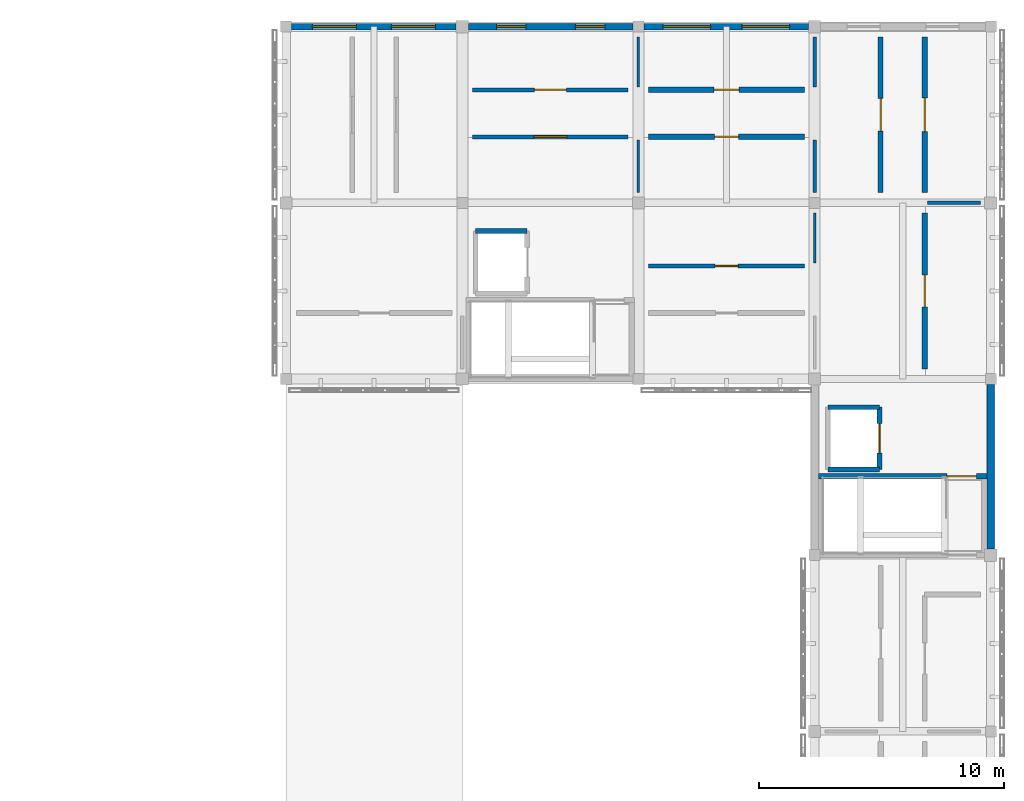
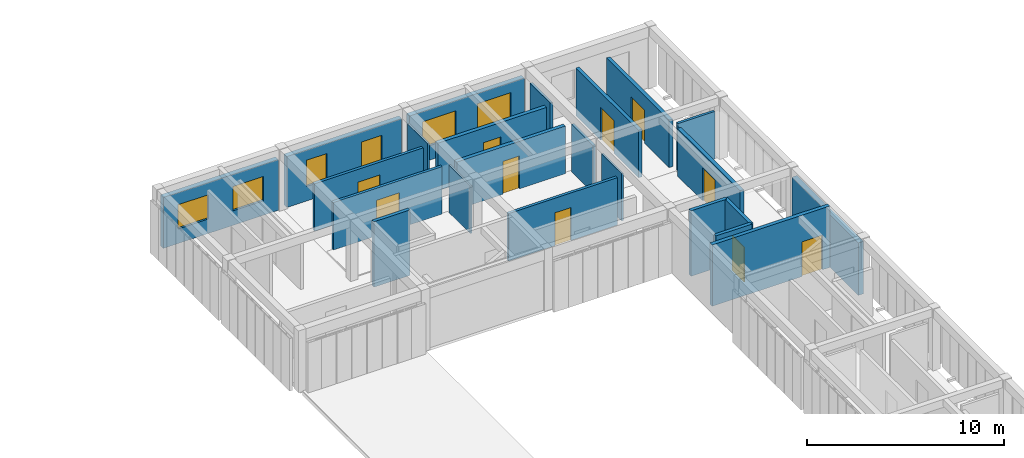
# One storey, part 27 of 33: 23 walls, 10 doors, 6 windows, 16 openings.
"""IFC4 building model written with IfcOpenShell, lengths in metres."""

from ifc_helpers import new_model, si_unit, direction, frame, frame_2d, origin, place, context, subcontext, project, spatial, rectangle, extrude, material, layer, layer_set, type_object, element, fill, save


model = new_model("IFC4")

# Units and contexts
model_context = context("Model", 3, precision=1e-05, world=origin(), true_north=direction((0.0, 1.0)))
body_context = subcontext(model_context, "Body", "Model", "MODEL_VIEW")
ifc_project = project(units=[si_unit("LENGTHUNIT", "METRE"), si_unit("AREAUNIT", "SQUARE_METRE"), si_unit("VOLUMEUNIT", "CUBIC_METRE"), si_unit("PLANEANGLEUNIT", "RADIAN"), si_unit("MASSUNIT", "GRAM", prefix="KILO")], contexts=[model_context])

# Site, building, storey
site_placement = place(None, origin())
site = spatial("IfcSite", under=ifc_project, at=site_placement, CompositionType="ELEMENT")
building_placement = place(site_placement, origin())
building = spatial("IfcBuilding", under=site, at=building_placement, Name="Aldebral Square Health Centre", CompositionType="ELEMENT")
storey_placement = place(building_placement, frame((0.0, 0.0, 17.550048828125)))
storey = spatial("IfcBuildingStorey", under=building, at=storey_placement, Name="L04", CompositionType="ELEMENT", Elevation=17.550048828125)

# Wall, openings, windows
ifc_material_1 = material(Name="Ochre mineral-rendered concrete C35/45 court wall", Category="concrete")
ifc_layer_1 = layer(ifc_material_1, 0.280029296875, Name="Ochre mineral-rendered concrete C35/45 court wall", Category="concrete")
ifc_layer_set_1 = layer_set([ifc_layer_1], Name="Ochre mineral-rendered concrete C35/45 court wall")
wall_type_1 = type_object("IfcWallType", Name="EW-OCH-280", PredefinedType="STANDARD", material=ifc_layer_set_1)
wall_1_placement = place(storey_placement, frame((143.75, 115.199951171875, 0.0), z_axis=(0.0, 0.0, 1.0), x_axis=(-1.0, 0.0, 0.0)))
wall_1 = element("IfcWall", 1, at=wall_1_placement, inside=storey, type_object=wall_type_1, Name="L04 V5 exterior wall L04-V5-19-15-N", PredefinedType="STANDARD", context=body_context, shape_type="SweptSolid", body=[
    extrude(rectangle(XDim=6.72509765625, YDim=0.280029296875, at=frame_2d((3.362548828125, 0.0))), origin(), (0.0, 0.0, 1.0), 3.14990234375),
])
opening_1_placement = place(wall_1_placement, frame((0.85009765625, 0.0, 0.89990234375)))
opening_1 = element("IfcOpeningElement", 2, at=opening_1_placement, cuts=wall_1, Name="Opening W25", PredefinedType="OPENING", context=body_context, shape_type="SweptSolid", body=[
    extrude(rectangle(XDim=1.800048828125, YDim=1.5, at=frame_2d((0.89990234375, 0.75))), frame((0.0, 0.14990234375, 0.0), z_axis=(0.0, -1.0, 0.0), x_axis=(1.0, 0.0, 0.0)), (0.0, 0.0, 1.0), 0.300048828125),
])
opening_2_placement = place(wall_1_placement, frame((4.074951171875, 0.0, 0.89990234375)))
opening_2 = element("IfcOpeningElement", 3, at=opening_2_placement, cuts=wall_1, Name="Opening W25", PredefinedType="OPENING", context=body_context, shape_type="SweptSolid", body=[
    extrude(rectangle(XDim=1.800048828125, YDim=1.5, at=frame_2d((0.89990234375, 0.75))), frame((0.0, 0.14990234375, 0.0), z_axis=(0.0, -1.0, 0.0), x_axis=(1.0, 0.0, 0.0)), (0.0, 0.0, 1.0), 0.300048828125),
])
ifc_material_2 = material(Name="Thermally broken aluminium and low-E glass", Category="aluminium")
window_type_1 = type_object("IfcWindowType", Name="WIN-W25", PartitioningType="SINGLE_PANEL", PredefinedType="WINDOW", material=ifc_material_2)
window_1_placement = place(opening_1_placement, origin())
window_1 = element("IfcWindow", 4, at=window_1_placement, inside=storey, type_object=window_type_1, Name="L04 clinical window L04-V5-19-15-N.1", OverallHeight=1.5, OverallWidth=1.800048828125, PartitioningType="SINGLE_PANEL", PredefinedType="WINDOW", context=body_context, shape_type="SweptSolid", body=[
    extrude(rectangle(XDim=1.800048828125, YDim=1.5, at=frame_2d((0.89990234375, 0.75))), frame((0.0, 0.030029296875, 0.0), z_axis=(0.0, -1.0, 0.0), x_axis=(1.0, 0.0, 0.0)), (0.0, 0.0, 1.0), 0.06005859375),
])
fill(opening_1, window_1)
window_2_placement = place(opening_2_placement, origin())
window_2 = element("IfcWindow", 5, at=window_2_placement, inside=storey, type_object=window_type_1, Name="L04 clinical window L04-V5-19-15-N.2", OverallHeight=1.5, OverallWidth=1.800048828125, PartitioningType="SINGLE_PANEL", PredefinedType="WINDOW", context=body_context, shape_type="SweptSolid", body=[
    extrude(rectangle(XDim=1.800048828125, YDim=1.5, at=frame_2d((0.89990234375, 0.75))), frame((0.0, 0.030029296875, 0.0), z_axis=(0.0, -1.0, 0.0), x_axis=(1.0, 0.0, 0.0)), (0.0, 0.0, 1.0), 0.06005859375),
])
fill(opening_2, window_2)

wall_2_placement = place(storey_placement, frame((150.97509765625, 115.199951171875, 0.0), z_axis=(0.0, 0.0, 1.0), x_axis=(-1.0, 0.0, 0.0)))
wall_2 = element("IfcWall", 6, at=wall_2_placement, inside=storey, type_object=wall_type_1, Name="L04 V5 exterior wall L04-V5-20-15-N", PredefinedType="STANDARD", context=body_context, shape_type="SweptSolid", body=[
    extrude(rectangle(XDim=6.72509765625, YDim=0.280029296875, at=frame_2d((3.362548828125, 0.0))), origin(), (0.0, 0.0, 1.0), 3.14990234375),
])
opening_3_placement = place(wall_2_placement, frame((1.14990234375, 0.0, 0.89990234375)))
opening_3 = element("IfcOpeningElement", 7, at=opening_3_placement, cuts=wall_2, Name="Opening W30", PredefinedType="OPENING", context=body_context, shape_type="SweptSolid", body=[
    extrude(rectangle(XDim=1.199951171875, YDim=1.6201171875, at=frame_2d((0.60009765625, 0.81005859375))), frame((0.0, 0.14990234375, 0.0), z_axis=(0.0, -1.0, 0.0), x_axis=(1.0, 0.0, 0.0)), (0.0, 0.0, 1.0), 0.300048828125),
])
opening_4_placement = place(wall_2_placement, frame((4.375, 0.0, 0.89990234375)))
opening_4 = element("IfcOpeningElement", 8, at=opening_4_placement, cuts=wall_2, Name="Opening W30", PredefinedType="OPENING", context=body_context, shape_type="SweptSolid", body=[
    extrude(rectangle(XDim=1.199951171875, YDim=1.6201171875, at=frame_2d((0.60009765625, 0.81005859375))), frame((0.0, 0.14990234375, 0.0), z_axis=(0.0, -1.0, 0.0), x_axis=(1.0, 0.0, 0.0)), (0.0, 0.0, 1.0), 0.300048828125),
])
window_type_2 = type_object("IfcWindowType", Name="WIN-W30", PartitioningType="SINGLE_PANEL", PredefinedType="WINDOW", material=ifc_material_2)
window_3_placement = place(opening_3_placement, origin())
window_3 = element("IfcWindow", 9, at=window_3_placement, inside=storey, type_object=window_type_2, Name="L04 clinical window L04-V5-20-15-N.1", OverallHeight=1.6201171875, OverallWidth=1.199951171875, PartitioningType="SINGLE_PANEL", PredefinedType="WINDOW", context=body_context, shape_type="SweptSolid", body=[
    extrude(rectangle(XDim=1.199951171875, YDim=1.6201171875, at=frame_2d((0.60009765625, 0.81005859375))), frame((0.0, 0.030029296875, 0.0), z_axis=(0.0, -1.0, 0.0), x_axis=(1.0, 0.0, 0.0)), (0.0, 0.0, 1.0), 0.06005859375),
])
fill(opening_3, window_3)
window_4_placement = place(opening_4_placement, origin())
window_4 = element("IfcWindow", 10, at=window_4_placement, inside=storey, type_object=window_type_2, Name="L04 clinical window L04-V5-20-15-N.2", OverallHeight=1.6201171875, OverallWidth=1.199951171875, PartitioningType="SINGLE_PANEL", PredefinedType="WINDOW", context=body_context, shape_type="SweptSolid", body=[
    extrude(rectangle(XDim=1.199951171875, YDim=1.6201171875, at=frame_2d((0.60009765625, 0.81005859375))), frame((0.0, 0.030029296875, 0.0), z_axis=(0.0, -1.0, 0.0), x_axis=(1.0, 0.0, 0.0)), (0.0, 0.0, 1.0), 0.06005859375),
])
fill(opening_4, window_4)

wall_3_placement = place(storey_placement, frame((158.14990234375, 115.199951171875, 0.0), z_axis=(0.0, 0.0, 1.0), x_axis=(-1.0, 0.0, 0.0)))
wall_3 = element("IfcWall", 11, at=wall_3_placement, inside=storey, type_object=wall_type_1, Name="L04 V5 exterior wall L04-V5-21-15-N", PredefinedType="STANDARD", context=body_context, shape_type="SweptSolid", body=[
    extrude(rectangle(XDim=6.724853515625, YDim=0.280029296875, at=frame_2d((3.3623046875, 0.0))), origin(), (0.0, 0.0, 1.0), 3.14990234375),
])
opening_5_placement = place(wall_3_placement, frame((0.77490234375, 0.0, 0.89990234375)))
opening_5 = element("IfcOpeningElement", 12, at=opening_5_placement, cuts=wall_3, Name="Opening W35", PredefinedType="OPENING", context=body_context, shape_type="SweptSolid", body=[
    extrude(rectangle(XDim=1.949951171875, YDim=1.6201171875, at=frame_2d((0.97509765625, 0.81005859375))), frame((0.0, 0.14990234375, 0.0), z_axis=(0.0, -1.0, 0.0), x_axis=(1.0, 0.0, 0.0)), (0.0, 0.0, 1.0), 0.300048828125),
])
opening_6_placement = place(wall_3_placement, frame((4.0, 0.0, 0.89990234375)))
opening_6 = element("IfcOpeningElement", 13, at=opening_6_placement, cuts=wall_3, Name="Opening W35", PredefinedType="OPENING", context=body_context, shape_type="SweptSolid", body=[
    extrude(rectangle(XDim=1.949951171875, YDim=1.6201171875, at=frame_2d((0.97509765625, 0.81005859375))), frame((0.0, 0.14990234375, 0.0), z_axis=(0.0, -1.0, 0.0), x_axis=(1.0, 0.0, 0.0)), (0.0, 0.0, 1.0), 0.300048828125),
])
window_type_3 = type_object("IfcWindowType", Name="WIN-W35", PartitioningType="SINGLE_PANEL", PredefinedType="WINDOW", material=ifc_material_2)
window_5_placement = place(opening_5_placement, origin())
window_5 = element("IfcWindow", 14, at=window_5_placement, inside=storey, type_object=window_type_3, Name="L04 clinical window L04-V5-21-15-N.1", OverallHeight=1.6201171875, OverallWidth=1.949951171875, PartitioningType="SINGLE_PANEL", PredefinedType="WINDOW", context=body_context, shape_type="SweptSolid", body=[
    extrude(rectangle(XDim=1.949951171875, YDim=1.6201171875, at=frame_2d((0.97509765625, 0.81005859375))), frame((0.0, 0.030029296875, 0.0), z_axis=(0.0, -1.0, 0.0), x_axis=(1.0, 0.0, 0.0)), (0.0, 0.0, 1.0), 0.06005859375),
])
fill(opening_5, window_5)
window_6_placement = place(opening_6_placement, origin())
window_6 = element("IfcWindow", 15, at=window_6_placement, inside=storey, type_object=window_type_3, Name="L04 clinical window L04-V5-21-15-N.2", OverallHeight=1.6201171875, OverallWidth=1.949951171875, PartitioningType="SINGLE_PANEL", PredefinedType="WINDOW", context=body_context, shape_type="SweptSolid", body=[
    extrude(rectangle(XDim=1.949951171875, YDim=1.6201171875, at=frame_2d((0.97509765625, 0.81005859375))), frame((0.0, 0.030029296875, 0.0), z_axis=(0.0, -1.0, 0.0), x_axis=(1.0, 0.0, 0.0)), (0.0, 0.0, 1.0), 0.06005859375),
])
fill(opening_6, window_6)

# Wall
ifc_material_3 = material(Name="Precast concrete C40/50 insulated panel", Category="concrete")
ifc_layer_2 = layer(ifc_material_3, 0.300048828125, Name="Precast concrete C40/50 insulated panel", Category="concrete")
ifc_layer_set_2 = layer_set([ifc_layer_2], Name="Precast concrete C40/50 insulated panel")
wall_type_2 = type_object("IfcWallType", Name="EW-PRE-300", PredefinedType="STANDARD", material=ifc_layer_set_2)
wall_4_placement = place(storey_placement, frame((165.60009765625, 93.85009765625, 0.0), z_axis=(0.0, 0.0, 1.0), x_axis=(0.0, 1.0, 0.0)))
element("IfcWall", 16, at=wall_4_placement, inside=storey, type_object=wall_type_2, Name="L04 V5 exterior wall L04-V5-22-13-E", PredefinedType="STANDARD", context=body_context, shape_type="SweptSolid", body=[
    extrude(rectangle(XDim=6.724853515625, YDim=0.300048828125, at=frame_2d((3.3623046875, 0.0))), origin(), (0.0, 0.0, 1.0), 3.25),
])

# Wall, opening, door
ifc_material_4 = material(Name="Concrete C35/45 compartment wall", Category="concrete")
ifc_layer_3 = layer(ifc_material_4, 0.199951171875, Name="Concrete C35/45 compartment wall", Category="concrete")
ifc_layer_set_3 = layer_set([ifc_layer_3], Name="Concrete C35/45 compartment wall")
wall_type_3 = type_object("IfcWallType", Name="IW-CMP-200", PredefinedType="SOLIDWALL", material=ifc_layer_set_3)
wall_5_placement = place(storey_placement, frame((161.10009765625, 108.419921875, 0.0), z_axis=(0.0, 0.0, 1.0), x_axis=(0.0, 1.0, 0.0)))
wall_5 = element("IfcWall", 17, at=wall_5_placement, inside=storey, type_object=wall_type_3, Name="L04 Quiet Mindfulness Lounge 23.16W corridor wall", PredefinedType="SOLIDWALL", context=body_context, shape_type="SweptSolid", body=[
    extrude(rectangle(XDim=6.360107421875, YDim=0.199951171875, at=frame_2d((3.18017578125, 0.0))), origin(), (0.0, 0.0, 1.0), 2.93994140625),
])
opening_7_placement = place(wall_5_placement, frame((2.510009765625, 0.0, 0.0)))
opening_7 = element("IfcOpeningElement", 18, at=opening_7_placement, cuts=wall_5, Name="Opening D-0647", PredefinedType="OPENING", context=body_context, shape_type="SweptSolid", body=[
    extrude(rectangle(XDim=1.340087890625, YDim=2.0400390625, at=frame_2d((0.669921875, 1.02001953125))), frame((0.0, 0.10986328125, 0.0), z_axis=(0.0, -1.0, 0.0), x_axis=(1.0, 0.0, 0.0)), (0.0, 0.0, 1.0), 0.219970703125),
])
ifc_material_5 = material(Name="Clinical suite fire door")
door_type_1 = type_object("IfcDoorType", Name="ID-EXD-11", OperationType="NOTDEFINED", PredefinedType="DOOR", material=ifc_material_5)
door_1_placement = place(opening_7_placement, origin())
door_1 = element("IfcDoor", 19, at=door_1_placement, inside=storey, type_object=door_type_1, Name="L04 Quiet Mindfulness Lounge 23.16W door", OperationType="SINGLE_SWING_RIGHT", OverallHeight=2.0400390625, OverallWidth=1.340087890625, PredefinedType="DOOR", context=body_context, shape_type="SweptSolid", body=[
    extrude(rectangle(XDim=1.340087890625, YDim=2.0400390625, at=frame_2d((0.669921875, 1.02001953125))), frame((0.0, 0.02490234375, 0.0), z_axis=(0.0, -1.0, 0.0), x_axis=(1.0, 0.0, 0.0)), (0.0, 0.0, 1.0), 0.050048828125),
])
fill(opening_7, door_1)

ifc_layer_4 = layer(ifc_material_4, 0.219970703125, Name="Concrete C35/45 compartment wall", Category="concrete")
ifc_layer_set_4 = layer_set([ifc_layer_4], Name="Concrete C35/45 compartment wall")
wall_type_4 = type_object("IfcWallType", Name="IW-CMP-220", PredefinedType="SOLIDWALL", material=ifc_layer_set_4)
wall_6_placement = place(storey_placement, frame((151.6201171875, 110.699951171875, 0.0), z_axis=(0.0, 0.0, 1.0), x_axis=(1.0, 0.0, 0.0)))
wall_6 = element("IfcWall", 20, at=wall_6_placement, inside=storey, type_object=wall_type_4, Name="L04 Group Psychotherapy Suite 22.16S corridor wall", PredefinedType="SOLIDWALL", context=body_context, shape_type="SweptSolid", body=[
    extrude(rectangle(XDim=6.35986328125, YDim=0.219970703125, at=frame_2d((3.179931640625, 0.0))), origin(), (0.0, 0.0, 1.0), 2.93994140625),
])
opening_8_placement = place(wall_6_placement, frame((2.68994140625, 0.0, 0.0)))
opening_8 = element("IfcOpeningElement", 21, at=opening_8_placement, cuts=wall_6, Name="Opening D-0638", PredefinedType="OPENING", context=body_context, shape_type="SweptSolid", body=[
    extrude(rectangle(XDim=0.97998046875, YDim=2.0400390625, at=frame_2d((0.489990234375, 1.02001953125))), frame((0.0, 0.1201171875, 0.0), z_axis=(0.0, -1.0, 0.0), x_axis=(1.0, 0.0, 0.0)), (0.0, 0.0, 1.0), 0.239990234375),
])
door_type_2 = type_object("IfcDoorType", Name="ID-EXD-02", OperationType="NOTDEFINED", PredefinedType="DOOR", material=ifc_material_5)
door_2_placement = place(opening_8_placement, origin())
door_2 = element("IfcDoor", 22, at=door_2_placement, inside=storey, type_object=door_type_2, Name="L04 Group Psychotherapy Suite 22.16S door", OperationType="SINGLE_SWING_LEFT", OverallHeight=2.0400390625, OverallWidth=0.97998046875, PredefinedType="DOOR", context=body_context, shape_type="SweptSolid", body=[
    extrude(rectangle(XDim=0.97998046875, YDim=2.0400390625, at=frame_2d((0.489990234375, 1.02001953125))), frame((0.0, 0.02490234375, 0.0), z_axis=(0.0, -1.0, 0.0), x_axis=(1.0, 0.0, 0.0)), (0.0, 0.0, 1.0), 0.050048828125),
])
fill(opening_8, door_2)

wall_7_placement = place(storey_placement, frame((151.6201171875, 112.6201171875, 0.0), z_axis=(0.0, 0.0, 1.0), x_axis=(1.0, 0.0, 0.0)))
wall_7 = element("IfcWall", 23, at=wall_7_placement, inside=storey, type_object=wall_type_4, Name="L04 Child Psychology Room 22.16N corridor wall", PredefinedType="SOLIDWALL", context=body_context, shape_type="SweptSolid", body=[
    extrude(rectangle(XDim=6.35986328125, YDim=0.219970703125, at=frame_2d((3.179931640625, 0.0))), origin(), (0.0, 0.0, 1.0), 2.93994140625),
])
opening_9_placement = place(wall_7_placement, frame((2.669921875, 0.0, 0.0)))
opening_9 = element("IfcOpeningElement", 24, at=opening_9_placement, cuts=wall_7, Name="Opening D-0639", PredefinedType="OPENING", context=body_context, shape_type="SweptSolid", body=[
    extrude(rectangle(XDim=1.02001953125, YDim=2.0400390625, at=frame_2d((0.510009765625, 1.02001953125))), frame((0.0, 0.1201171875, 0.0), z_axis=(0.0, -1.0, 0.0), x_axis=(1.0, 0.0, 0.0)), (0.0, 0.0, 1.0), 0.239990234375),
])
door_type_3 = type_object("IfcDoorType", Name="ID-EXD-03", OperationType="NOTDEFINED", PredefinedType="DOOR", material=ifc_material_5)
door_3_placement = place(opening_9_placement, origin())
door_3 = element("IfcDoor", 25, at=door_3_placement, inside=storey, type_object=door_type_3, Name="L04 Child Psychology Room 22.16N door", OperationType="SINGLE_SWING_RIGHT", OverallHeight=2.0400390625, OverallWidth=1.02001953125, PredefinedType="DOOR", context=body_context, shape_type="SweptSolid", body=[
    extrude(rectangle(XDim=1.02001953125, YDim=2.0400390625, at=frame_2d((0.510009765625, 1.02001953125))), frame((0.0, 0.02490234375, 0.0), z_axis=(0.0, -1.0, 0.0), x_axis=(1.0, 0.0, 0.0)), (0.0, 0.0, 1.0), 0.050048828125),
])
fill(opening_9, door_3)

wall_8_placement = place(storey_placement, frame((162.89990234375, 101.219970703125, 0.0), z_axis=(0.0, 0.0, 1.0), x_axis=(0.0, 1.0, 0.0)))
wall_8 = element("IfcWall", 26, at=wall_8_placement, inside=storey, type_object=wall_type_4, Name="L04 Psychiatric Consultation Suite 23.15E corridor wall", PredefinedType="SOLIDWALL", context=body_context, shape_type="SweptSolid", body=[
    extrude(rectangle(XDim=6.360107421875, YDim=0.219970703125, at=frame_2d((3.18017578125, 0.0))), origin(), (0.0, 0.0, 1.0), 2.93994140625),
])
opening_10_placement = place(wall_8_placement, frame((2.530029296875, 0.0, 0.0)))
opening_10 = element("IfcOpeningElement", 27, at=opening_10_placement, cuts=wall_8, Name="Opening D-0646", PredefinedType="OPENING", context=body_context, shape_type="SweptSolid", body=[
    extrude(rectangle(XDim=1.300048828125, YDim=2.0400390625, at=frame_2d((0.64990234375, 1.02001953125))), frame((0.0, 0.1201171875, 0.0), z_axis=(0.0, -1.0, 0.0), x_axis=(1.0, 0.0, 0.0)), (0.0, 0.0, 1.0), 0.239990234375),
])
door_type_4 = type_object("IfcDoorType", Name="ID-EXD-10", OperationType="NOTDEFINED", PredefinedType="DOOR", material=ifc_material_5)
door_4_placement = place(opening_10_placement, origin())
door_4 = element("IfcDoor", 28, at=door_4_placement, inside=storey, type_object=door_type_4, Name="L04 Psychiatric Consultation Suite 23.15E door", OperationType="SINGLE_SWING_LEFT", OverallHeight=2.0400390625, OverallWidth=1.300048828125, PredefinedType="DOOR", context=body_context, shape_type="SweptSolid", body=[
    extrude(rectangle(XDim=1.300048828125, YDim=2.0400390625, at=frame_2d((0.64990234375, 1.02001953125))), frame((0.0, 0.02490234375, 0.0), z_axis=(0.0, -1.0, 0.0), x_axis=(1.0, 0.0, 0.0)), (0.0, 0.0, 1.0), 0.050048828125),
])
fill(opening_10, door_4)

ifc_material_6 = material(Name="Fire-rated acoustic gypsum partition")
ifc_layer_5 = layer(ifc_material_6, 0.1650390625, Name="Fire-rated acoustic gypsum partition")
ifc_layer_set_5 = layer_set([ifc_layer_5], Name="Fire-rated acoustic gypsum partition")
wall_type_5 = type_object("IfcWallType", Name="IW-COR-165", PredefinedType="PARTITIONING", material=ifc_layer_set_5)
wall_9_placement = place(storey_placement, frame((144.419921875, 110.699951171875, 0.0), z_axis=(0.0, 0.0, 1.0), x_axis=(1.0, 0.0, 0.0)))
wall_9 = element("IfcWall", 29, at=wall_9_placement, inside=storey, type_object=wall_type_5, Name="L04 Psychiatric Consultation Suite 21.16S corridor wall", PredefinedType="PARTITIONING", context=body_context, shape_type="SweptSolid", body=[
    extrude(rectangle(XDim=6.360107421875, YDim=0.1650390625, at=frame_2d((3.18017578125, 0.0))), origin(), (0.0, 0.0, 1.0), 2.93994140625),
])
opening_11_placement = place(wall_9_placement, frame((2.5048828125, 0.0, 0.0)))
opening_11 = element("IfcOpeningElement", 30, at=opening_11_placement, cuts=wall_9, Name="Opening D-0634", PredefinedType="OPENING", context=body_context, shape_type="SweptSolid", body=[
    extrude(rectangle(XDim=1.35009765625, YDim=2.199951171875, at=frame_2d((0.675048828125, 1.10009765625))), frame((0.0, 0.092529296875, 0.0), z_axis=(0.0, -1.0, 0.0), x_axis=(1.0, 0.0, 0.0)), (0.0, 0.0, 1.0), 0.18505859375),
])
ifc_material_7 = material(Name="Lead-lined imaging suite door")
door_type_5 = type_object("IfcDoorType", Name="ID-IM-135", OperationType="NOTDEFINED", PredefinedType="DOOR", material=ifc_material_7)
door_5_placement = place(opening_11_placement, origin())
door_5 = element("IfcDoor", 31, at=door_5_placement, inside=storey, type_object=door_type_5, Name="L04 Psychiatric Consultation Suite 21.16S door", OperationType="SINGLE_SWING_LEFT", OverallHeight=2.199951171875, OverallWidth=1.35009765625, PredefinedType="DOOR", context=body_context, shape_type="SweptSolid", body=[
    extrude(rectangle(XDim=1.35009765625, YDim=2.199951171875, at=frame_2d((0.675048828125, 1.10009765625))), frame((0.0, 0.02490234375, 0.0), z_axis=(0.0, -1.0, 0.0), x_axis=(1.0, 0.0, 0.0)), (0.0, 0.0, 1.0), 0.050048828125),
])
fill(opening_11, door_5)

wall_10_placement = place(storey_placement, frame((144.419921875, 112.6201171875, 0.0), z_axis=(0.0, 0.0, 1.0), x_axis=(1.0, 0.0, 0.0)))
wall_10 = element("IfcWall", 32, at=wall_10_placement, inside=storey, type_object=wall_type_5, Name="L04 Quiet Mindfulness Lounge 21.16N corridor wall", PredefinedType="PARTITIONING", context=body_context, shape_type="SweptSolid", body=[
    extrude(rectangle(XDim=6.360107421875, YDim=0.1650390625, at=frame_2d((3.18017578125, 0.0))), origin(), (0.0, 0.0, 1.0), 2.93994140625),
])
opening_12_placement = place(wall_10_placement, frame((2.530029296875, 0.0, 0.0)))
opening_12 = element("IfcOpeningElement", 33, at=opening_12_placement, cuts=wall_10, Name="Opening D-0635", PredefinedType="OPENING", context=body_context, shape_type="SweptSolid", body=[
    extrude(rectangle(XDim=1.300048828125, YDim=2.14990234375, at=frame_2d((0.64990234375, 1.074951171875))), frame((0.0, 0.092529296875, 0.0), z_axis=(0.0, -1.0, 0.0), x_axis=(1.0, 0.0, 0.0)), (0.0, 0.0, 1.0), 0.18505859375),
])
ifc_material_8 = material(Name="Radiography shielded fire door")
door_type_6 = type_object("IfcDoorType", Name="ID-IM-130", OperationType="NOTDEFINED", PredefinedType="DOOR", material=ifc_material_8)
door_6_placement = place(opening_12_placement, origin())
door_6 = element("IfcDoor", 34, at=door_6_placement, inside=storey, type_object=door_type_6, Name="L04 Quiet Mindfulness Lounge 21.16N door", OperationType="SINGLE_SWING_RIGHT", OverallHeight=2.14990234375, OverallWidth=1.300048828125, PredefinedType="DOOR", context=body_context, shape_type="SweptSolid", body=[
    extrude(rectangle(XDim=1.300048828125, YDim=2.14990234375, at=frame_2d((0.64990234375, 1.074951171875))), frame((0.0, 0.02490234375, 0.0), z_axis=(0.0, -1.0, 0.0), x_axis=(1.0, 0.0, 0.0)), (0.0, 0.0, 1.0), 0.050048828125),
])
fill(opening_12, door_6)

wall_11_placement = place(storey_placement, frame((151.6201171875, 105.419921875, 0.0), z_axis=(0.0, 0.0, 1.0), x_axis=(1.0, 0.0, 0.0)))
wall_11 = element("IfcWall", 35, at=wall_11_placement, inside=storey, type_object=wall_type_5, Name="L04 Mental Health Counseling Room 22.15N corridor wall", PredefinedType="PARTITIONING", context=body_context, shape_type="SweptSolid", body=[
    extrude(rectangle(XDim=6.35986328125, YDim=0.1650390625, at=frame_2d((3.179931640625, 0.0))), origin(), (0.0, 0.0, 1.0), 2.93994140625),
])
opening_13_placement = place(wall_11_placement, frame((2.7099609375, 0.0, 0.0)))
opening_13 = element("IfcOpeningElement", 36, at=opening_13_placement, cuts=wall_11, Name="Opening D-0637", PredefinedType="OPENING", context=body_context, shape_type="SweptSolid", body=[
    extrude(rectangle(XDim=0.93994140625, YDim=2.0400390625, at=frame_2d((0.469970703125, 1.02001953125))), frame((0.0, 0.092529296875, 0.0), z_axis=(0.0, -1.0, 0.0), x_axis=(1.0, 0.0, 0.0)), (0.0, 0.0, 1.0), 0.18505859375),
])
door_type_7 = type_object("IfcDoorType", Name="ID-EXD-01", OperationType="NOTDEFINED", PredefinedType="DOOR", material=ifc_material_5)
door_7_placement = place(opening_13_placement, origin())
door_7 = element("IfcDoor", 37, at=door_7_placement, inside=storey, type_object=door_type_7, Name="L04 Mental Health Counseling Room 22.15N door", OperationType="SINGLE_SWING_RIGHT", OverallHeight=2.0400390625, OverallWidth=0.93994140625, PredefinedType="DOOR", context=body_context, shape_type="SweptSolid", body=[
    extrude(rectangle(XDim=0.93994140625, YDim=2.0400390625, at=frame_2d((0.469970703125, 1.02001953125))), frame((0.0, 0.02490234375, 0.0), z_axis=(0.0, -1.0, 0.0), x_axis=(1.0, 0.0, 0.0)), (0.0, 0.0, 1.0), 0.050048828125),
])
fill(opening_13, door_7)

ifc_material_9 = material(Name="Concrete C40/50", Category="concrete")
ifc_layer_6 = layer(ifc_material_9, 0.219970703125, Name="Concrete C40/50", Category="concrete")
ifc_layer_set_6 = layer_set([ifc_layer_6], Name="Concrete C40/50")
wall_type_6 = type_object("IfcWallType", Name="IW-CORE-280", PredefinedType="SHEAR", material=ifc_layer_set_6)
wall_12_placement = place(storey_placement, frame((158.56005859375, 96.830078125, 0.0), z_axis=(0.0, 0.0, 1.0), x_axis=(1.0, 0.0, 0.0)))
wall_12 = element("IfcWall", 38, at=wall_12_placement, inside=storey, type_object=wall_type_6, Name="L04 WC-C3 shaft wall N", PredefinedType="SHEAR", context=body_context, shape_type="SweptSolid", body=[
    extrude(rectangle(XDim=6.8798828125, YDim=0.219970703125, at=frame_2d((3.43994140625, 0.0))), origin(), (0.0, 0.0, 1.0), 3.800048828125),
])
opening_14_placement = place(wall_12_placement, frame((5.25, 0.0, 0.0)))
opening_14 = element("IfcOpeningElement", 39, at=opening_14_placement, cuts=wall_12, Name="Opening D-0042", PredefinedType="OPENING", context=body_context, shape_type="SweptSolid", body=[
    extrude(rectangle(XDim=1.199951171875, YDim=2.14990234375, at=frame_2d((0.60009765625, 1.074951171875))), frame((0.0, 0.1201171875, 0.0), z_axis=(0.0, -1.0, 0.0), x_axis=(1.0, 0.0, 0.0)), (0.0, 0.0, 1.0), 0.239990234375),
])
ifc_material_10 = material(Name="Fire-rated steel stair door", Category="steel")
door_type_8 = type_object("IfcDoorType", Name="ID-ST-120", OperationType="NOTDEFINED", PredefinedType="DOOR", material=ifc_material_10)
door_8_placement = place(opening_14_placement, origin())
door_8 = element("IfcDoor", 40, at=door_8_placement, inside=storey, type_object=door_type_8, Name="L04 ST-03 fire door", OperationType="SINGLE_SWING_RIGHT", OverallHeight=2.14990234375, OverallWidth=1.199951171875, PredefinedType="DOOR", context=body_context, shape_type="SweptSolid", body=[
    extrude(rectangle(XDim=1.199951171875, YDim=2.14990234375, at=frame_2d((0.60009765625, 1.074951171875))), frame((0.0, 0.02490234375, 0.0), z_axis=(0.0, -1.0, 0.0), x_axis=(1.0, 0.0, 0.0)), (0.0, 0.0, 1.0), 0.050048828125),
])
fill(opening_14, door_8)

# Walls
ifc_layer_7 = layer(ifc_material_9, 0.199951171875, Name="Concrete C40/50", Category="concrete")
ifc_layer_set_7 = layer_set([ifc_layer_7], Name="Concrete C40/50")
wall_type_7 = type_object("IfcWallType", Name="IW-LFT-250", PredefinedType="SHEAR", material=ifc_layer_set_7)
for number, where, z_axis, x_axis, name in (
    (41, (158.949951171875, 97.10009765625, 0.0), (0.0, 0.0, 1.0), (1.0, 0.0, 0.0), "L04 LF-03 shaft wall S"),
    (42, (158.949951171875, 99.64990234375, 0.0), (0.0, 0.0, 1.0), (1.0, 0.0, 0.0), "L04 LF-03 shaft wall N"),
):
    element("IfcWall", number, at=place(storey_placement, frame(where, z_axis=z_axis, x_axis=x_axis)), inside=storey, type_object=wall_type_7, Name=name, PredefinedType="SHEAR", context=body_context, shape_type="SweptSolid", body=[
        extrude(rectangle(XDim=2.10009765625, YDim=0.199951171875, at=frame_2d((1.050048828125, 0.0))), origin(), (0.0, 0.0, 1.0), 4.050048828125),
    ])

# Wall, opening, door
wall_13_placement = place(storey_placement, frame((161.050048828125, 97.10009765625, 0.0), z_axis=(0.0, 0.0, 1.0), x_axis=(0.0, 1.0, 0.0)))
wall_13 = element("IfcWall", 43, at=wall_13_placement, inside=storey, type_object=wall_type_7, Name="L04 LF-03 landing wall", PredefinedType="SHEAR", context=body_context, shape_type="SweptSolid", body=[
    extrude(rectangle(XDim=2.5498046875, YDim=0.199951171875, at=frame_2d((1.27490234375, 0.0))), origin(), (0.0, 0.0, 1.0), 4.050048828125),
])
opening_15_placement = place(wall_13_placement, frame((0.675048828125, 0.0, 0.0)))
opening_15 = element("IfcOpeningElement", 44, at=opening_15_placement, cuts=wall_13, Name="Opening D-0044", PredefinedType="OPENING", context=body_context, shape_type="SweptSolid", body=[
    extrude(rectangle(XDim=1.199951171875, YDim=2.14990234375, at=frame_2d((0.60009765625, 1.074951171875))), frame((0.0, 0.10986328125, 0.0), z_axis=(0.0, -1.0, 0.0), x_axis=(1.0, 0.0, 0.0)), (0.0, 0.0, 1.0), 0.219970703125),
])
ifc_material_11 = material(Name="Stainless steel passenger lift landing door", Category="steel")
door_type_9 = type_object("IfcDoorType", Name="ID-LD-120", OperationType="SLIDING_TO_LEFT", PredefinedType="DOOR", material=ifc_material_11)
door_9_placement = place(opening_15_placement, origin())
door_9 = element("IfcDoor", 45, at=door_9_placement, inside=storey, type_object=door_type_9, Name="L04 LF-03 sliding landing door", OperationType="SLIDING_TO_LEFT", OverallHeight=2.14990234375, OverallWidth=1.199951171875, PredefinedType="DOOR", context=body_context, shape_type="SweptSolid", body=[
    extrude(rectangle(XDim=1.199951171875, YDim=2.14990234375, at=frame_2d((0.60009765625, 1.074951171875))), frame((0.0, 0.02490234375, 0.0), z_axis=(0.0, -1.0, 0.0), x_axis=(1.0, 0.0, 0.0)), (0.0, 0.0, 1.0), 0.050048828125),
])
fill(opening_15, door_9)

# Wall
wall_14_placement = place(storey_placement, frame((144.550048828125, 106.85009765625, 0.0), z_axis=(0.0, 0.0, 1.0), x_axis=(1.0, 0.0, 0.0)))
element("IfcWall", 46, at=wall_14_placement, inside=storey, type_object=wall_type_7, Name="L04 LF-04 shaft wall N", PredefinedType="SHEAR", context=body_context, shape_type="SweptSolid", body=[
    extrude(rectangle(XDim=2.099853515625, YDim=0.199951171875, at=frame_2d((1.0498046875, 0.0))), origin(), (0.0, 0.0, 1.0), 4.050048828125),
])

# Wall, opening, door
ifc_material_12 = material(Name="Moisture-resistant sanitary chase wall")
ifc_layer_8 = layer(ifc_material_12, 0.2099609375, Name="Moisture-resistant sanitary chase wall")
ifc_layer_set_8 = layer_set([ifc_layer_8], Name="Moisture-resistant sanitary chase wall")
wall_type_8 = type_object("IfcWallType", Name="IW-PLB-210", PredefinedType="PLUMBINGWALL", material=ifc_layer_set_8)
wall_15_placement = place(storey_placement, frame((162.89990234375, 108.419921875, 0.0), z_axis=(0.0, 0.0, 1.0), x_axis=(0.0, 1.0, 0.0)))
wall_15 = element("IfcWall", 47, at=wall_15_placement, inside=storey, type_object=wall_type_8, Name="L04 Accessible WC 23.16E corridor wall", PredefinedType="PLUMBINGWALL", context=body_context, shape_type="SweptSolid", body=[
    extrude(rectangle(XDim=6.360107421875, YDim=0.2099609375, at=frame_2d((3.18017578125, 0.0))), origin(), (0.0, 0.0, 1.0), 2.93994140625),
])
opening_16_placement = place(wall_15_placement, frame((2.489990234375, 0.0, 0.0)))
opening_16 = element("IfcOpeningElement", 48, at=opening_16_placement, cuts=wall_15, Name="Opening D-0648", PredefinedType="OPENING", context=body_context, shape_type="SweptSolid", body=[
    extrude(rectangle(XDim=1.3798828125, YDim=2.0400390625, at=frame_2d((0.68994140625, 1.02001953125))), frame((0.0, 0.114990234375, 0.0), z_axis=(0.0, -1.0, 0.0), x_axis=(1.0, 0.0, 0.0)), (0.0, 0.0, 1.0), 0.22998046875),
])
door_type_10 = type_object("IfcDoorType", Name="ID-EXD-12", OperationType="NOTDEFINED", PredefinedType="DOOR", material=ifc_material_5)
door_10_placement = place(opening_16_placement, origin())
door_10 = element("IfcDoor", 49, at=door_10_placement, inside=storey, type_object=door_type_10, Name="L04 Accessible WC 23.16E door", OperationType="SINGLE_SWING_LEFT", OverallHeight=2.0400390625, OverallWidth=1.3798828125, PredefinedType="DOOR", context=body_context, shape_type="SweptSolid", body=[
    extrude(rectangle(XDim=1.3798828125, YDim=2.0400390625, at=frame_2d((0.68994140625, 1.02001953125))), frame((0.0, 0.02490234375, 0.0), z_axis=(0.0, -1.0, 0.0), x_axis=(1.0, 0.0, 0.0)), (0.0, 0.0, 1.0), 0.050048828125),
])
fill(opening_16, door_10)

# Walls
ifc_material_13 = material(Name="Lightweight clinical partition")
ifc_layer_9 = layer(ifc_material_13, 0.10498046875, Name="Lightweight clinical partition")
ifc_layer_set_9 = layer_set([ifc_layer_9], Name="Lightweight clinical partition")
wall_type_9 = type_object("IfcWallType", Name="IW-PRT-105", PredefinedType="PARTITIONING", material=ifc_layer_set_9)
wall_16_placement = place(storey_placement, frame((151.199951171875, 108.419921875, 0.0), z_axis=(0.0, 0.0, 1.0), x_axis=(0.0, 1.0, 0.0)))
element("IfcWall", 50, at=wall_16_placement, inside=storey, type_object=wall_type_9, Name="L04 Psychiatric Consultation Suite 21.16S demising partition", PredefinedType="PARTITIONING", context=body_context, shape_type="SweptSolid", body=[
    extrude(rectangle(XDim=2.16015625, YDim=0.10498046875, at=frame_2d((1.080078125, 0.0))), origin(), (0.0, 0.0, 1.0), 2.93994140625),
])
for number, where, z_axis, x_axis, name in (
    (51, (151.199951171875, 112.739990234375, 0.0), (0.0, 0.0, 1.0), (0.0, 1.0, 0.0), "L04 Quiet Mindfulness Lounge 21.16N demising partition"),
    (52, (158.39990234375, 105.5400390625, 0.0), (0.0, 0.0, 1.0), (0.0, 1.0, 0.0), "L04 Mental Health Counseling Room 22.15N demising partition"),
):
    element("IfcWall", number, at=place(storey_placement, frame(where, z_axis=z_axis, x_axis=x_axis)), inside=storey, type_object=wall_type_9, Name=name, PredefinedType="PARTITIONING", context=body_context, shape_type="SweptSolid", body=[
        extrude(rectangle(XDim=2.0400390625, YDim=0.10498046875, at=frame_2d((1.02001953125, 0.0))), origin(), (0.0, 0.0, 1.0), 2.93994140625),
    ])
ifc_material_14 = material(Name="Acoustic clinical gypsum partition")
ifc_layer_10 = layer(ifc_material_14, 0.14990234375, Name="Acoustic clinical gypsum partition")
ifc_layer_set_10 = layer_set([ifc_layer_10], Name="Acoustic clinical gypsum partition")
wall_type_10 = type_object("IfcWallType", Name="IW-PRT-150", PredefinedType="PARTITIONING", material=ifc_layer_set_10)
wall_17_placement = place(storey_placement, frame((158.39990234375, 108.419921875, 0.0), z_axis=(0.0, 0.0, 1.0), x_axis=(0.0, 1.0, 0.0)))
element("IfcWall", 53, at=wall_17_placement, inside=storey, type_object=wall_type_10, Name="L04 Group Psychotherapy Suite 22.16S demising partition", PredefinedType="PARTITIONING", context=body_context, shape_type="SweptSolid", body=[
    extrude(rectangle(XDim=2.16015625, YDim=0.14990234375, at=frame_2d((1.080078125, 0.0))), origin(), (0.0, 0.0, 1.0), 2.93994140625),
])
wall_18_placement = place(storey_placement, frame((158.39990234375, 112.739990234375, 0.0), z_axis=(0.0, 0.0, 1.0), x_axis=(0.0, 1.0, 0.0)))
element("IfcWall", 54, at=wall_18_placement, inside=storey, type_object=wall_type_10, Name="L04 Child Psychology Room 22.16N demising partition", PredefinedType="PARTITIONING", context=body_context, shape_type="SweptSolid", body=[
    extrude(rectangle(XDim=2.0400390625, YDim=0.14990234375, at=frame_2d((1.02001953125, 0.0))), origin(), (0.0, 0.0, 1.0), 2.93994140625),
])
wall_19_placement = place(storey_placement, frame((163.02001953125, 108.0, 0.0), z_axis=(0.0, 0.0, 1.0), x_axis=(1.0, 0.0, 0.0)))
element("IfcWall", 55, at=wall_19_placement, inside=storey, type_object=wall_type_10, Name="L04 Psychiatric Consultation Suite 23.15E demising partition", PredefinedType="PARTITIONING", context=body_context, shape_type="SweptSolid", body=[
    extrude(rectangle(XDim=2.159912109375, YDim=0.14990234375, at=frame_2d((1.080078125, 0.0))), origin(), (0.0, 0.0, 1.0), 2.93994140625),
])

save(model, "model.ifc")
